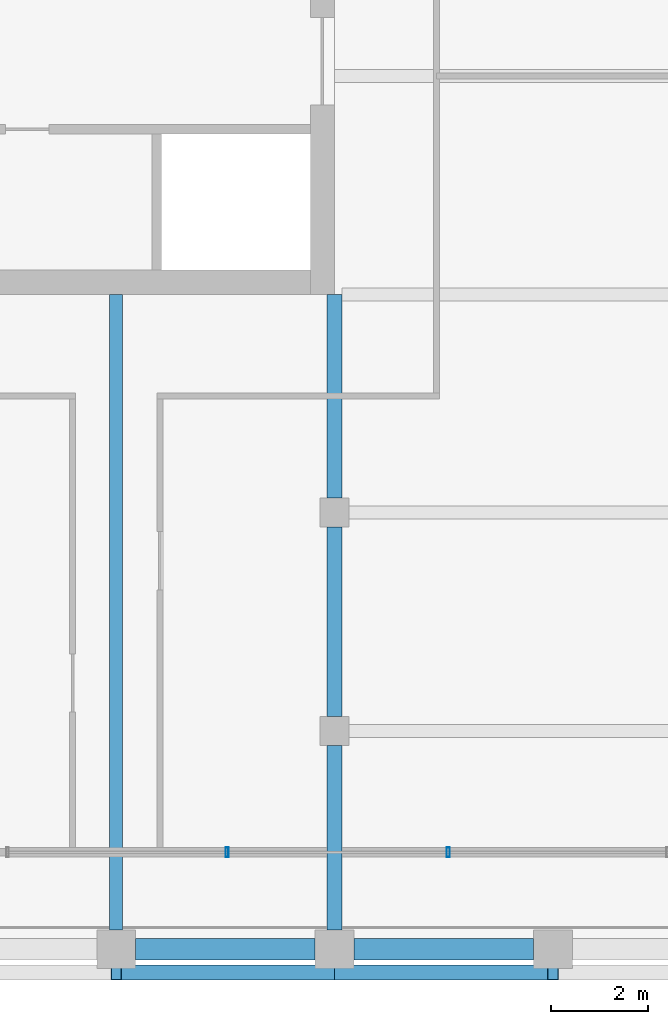
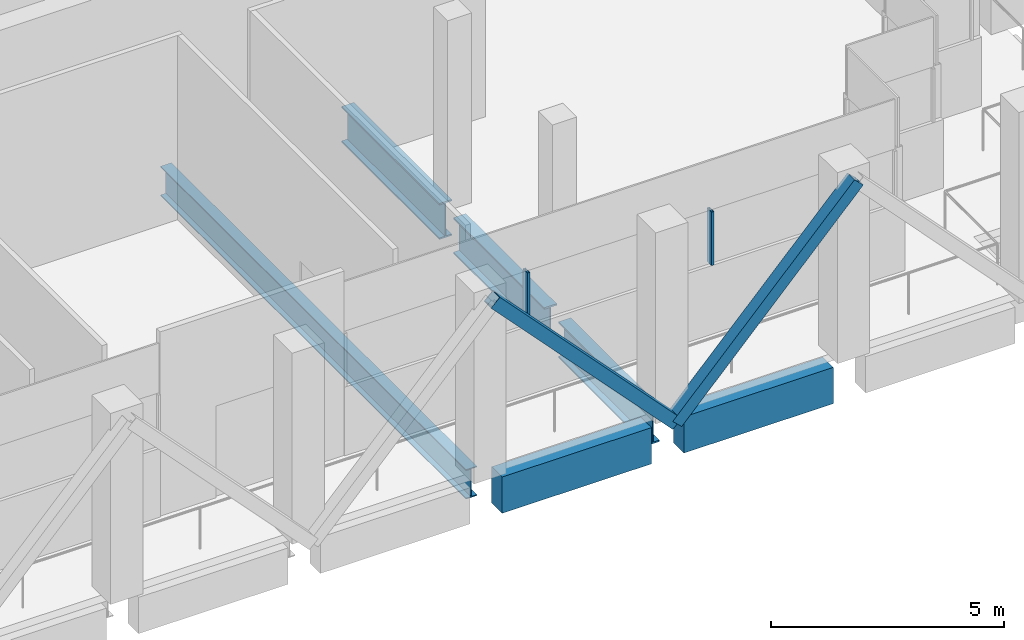
# One storey, part 7 of 21: 6 beams, 4 members, 1 element without a shape of its own.
"""IFC4 building model written with IfcOpenShell, lengths in metres."""

from ifc_helpers import new_model, si_unit, direction, frame, origin, origin_2d, place, context, subcontext, project, spatial, rectangle, hollow_rectangle, i_section, extrude, material, material_profile, profile_set, type_object, element, aggregate, save


model = new_model("IFC4")

# Units and contexts
model_context = context("Model", 3, precision=1e-05, world=origin(), true_north=direction((0.0, 1.0)))
body_context = subcontext(model_context, "Body", "Model", "MODEL_VIEW")
ifc_project = project(units=[si_unit("LENGTHUNIT", "METRE"), si_unit("AREAUNIT", "SQUARE_METRE"), si_unit("VOLUMEUNIT", "CUBIC_METRE"), si_unit("PLANEANGLEUNIT", "RADIAN"), si_unit("MASSUNIT", "GRAM", prefix="KILO")], contexts=[model_context])

# Site, building, storey
site_placement = place(None, origin())
site = spatial("IfcSite", under=ifc_project, at=site_placement, CompositionType="ELEMENT")
building_placement = place(site_placement, origin())
building = spatial("IfcBuilding", under=site, at=building_placement, Name="Altepetl Exchange Towers", CompositionType="ELEMENT")
storey_placement = place(building_placement, frame((0.0, 0.0, 246.0)))
storey = spatial("IfcBuildingStorey", under=building, at=storey_placement, Name="L63 Refuge", CompositionType="ELEMENT", Elevation=246.0)

# Members
ifc_material_1 = material(Name="Steel S355", Category="steel")
ifc_material_profile_1 = material_profile(ifc_material_1, hollow_rectangle(XDim=0.304931640625, YDim=0.304931640625, WallThickness=0.01171875, at=origin_2d()), Name="HSS305X305X12.7")
ifc_profile_set_1 = profile_set([ifc_material_profile_1], Name="Steel S355")
member_type_1 = type_object("IfcMemberType", Name="Belt diagonal HSS305X305X12.7", PredefinedType="BRACE", material=ifc_profile_set_1)
for number, where, z_axis, x_axis, name in (
    (1, (54.0, 26.52001953125, 4.75), (0.687744647911, 0.0, -0.725952683906), (0.0, 1.0, 0.0), "brc:A:L63:005"),
    (2, (58.5, 26.52001953125, 0.0), (0.687744647911, 0.0, 0.725952683906), (0.0, 1.0, 0.0), "brc:A:L63:006"),
):
    element("IfcMember", number, at=place(storey_placement, frame(where, z_axis=z_axis, x_axis=x_axis)), inside=storey, type_object=member_type_1, Name=name, PredefinedType="BRACE", context=body_context, shape_type="SweptSolid", body=[
        extrude(hollow_rectangle(XDim=0.304931640625, YDim=0.304931640625, WallThickness=0.01171875, at=origin_2d()), origin(), (0.0, 0.0, 1.0), 6.543212890625),
    ])

# Beams
ifc_material_profile_2 = material_profile(ifc_material_1, i_section(OverallWidth=0.26806640625, OverallDepth=0.77392578125, WebThickness=0.015380859375, FlangeThickness=0.025390625, at=origin_2d()), Name="W30X132")
ifc_profile_set_2 = profile_set([ifc_material_profile_2], Name="Steel S355")
beam_type_1 = type_object("IfcBeamType", Name="Floor beam W30X132", PredefinedType="BEAM", material=ifc_profile_set_2)
beam_1_placement = place(storey_placement, frame((54.0, 27.39990234375, -0.5869140625), z_axis=(0.0, 1.0, 0.0), x_axis=(-1.0, 0.0, 0.0)))
element("IfcBeam", 3, at=beam_1_placement, inside=storey, type_object=beam_type_1, Name="bm:A:L63:017", PredefinedType="BEAM", context=body_context, shape_type="SweptSolid", body=[
    extrude(i_section(OverallWidth=0.26806640625, OverallDepth=0.77392578125, WebThickness=0.015380859375, FlangeThickness=0.025390625, at=origin_2d()), origin(), (0.0, 0.0, 1.0), 13.10009765625),
])
ifc_material_profile_3 = material_profile(ifc_material_1, i_section(OverallWidth=0.30810546875, OverallDepth=0.943115234375, WebThickness=0.022216796875, FlangeThickness=0.039794921875, at=origin_2d()), Name="W36X232")
ifc_profile_set_3 = profile_set([ifc_material_profile_3], Name="Steel S355")
beam_type_2 = type_object("IfcBeamType", Name="Girder W36X232", PredefinedType="BEAM", material=ifc_profile_set_3)
beam_2_placement = place(storey_placement, frame((58.5, 40.5, -0.67138671875), z_axis=(0.0, -1.0, 0.0), x_axis=(1.0, 0.0, 0.0)))
element("IfcBeam", 4, at=beam_2_placement, inside=storey, type_object=beam_type_2, Name="gd:A:L63:003", PredefinedType="BEAM", context=body_context, shape_type="SweptSolid", body=[
    extrude(i_section(OverallWidth=0.30810546875, OverallDepth=0.943115234375, WebThickness=0.022216796875, FlangeThickness=0.039794921875, at=origin_2d()), origin(), (0.0, 0.0, 1.0), 4.199951171875),
])
beam_3_placement = place(storey_placement, frame((58.5, 35.699951171875, -0.67138671875), z_axis=(0.0, -1.0, 0.0), x_axis=(1.0, 0.0, 0.0)))
element("IfcBeam", 5, at=beam_3_placement, inside=storey, type_object=beam_type_2, Name="gd:A:L63:004", PredefinedType="BEAM", context=body_context, shape_type="SweptSolid", body=[
    extrude(i_section(OverallWidth=0.30810546875, OverallDepth=0.943115234375, WebThickness=0.022216796875, FlangeThickness=0.039794921875, at=origin_2d()), origin(), (0.0, 0.0, 1.0), 3.89990234375),
])
beam_4_placement = place(storey_placement, frame((58.5, 31.199951171875, -0.67138671875), z_axis=(0.0, -1.0, 0.0), x_axis=(1.0, 0.0, 0.0)))
element("IfcBeam", 6, at=beam_4_placement, inside=storey, type_object=beam_type_2, Name="gd:A:L63:005", PredefinedType="BEAM", context=body_context, shape_type="SweptSolid", body=[
    extrude(i_section(OverallWidth=0.30810546875, OverallDepth=0.943115234375, WebThickness=0.022216796875, FlangeThickness=0.039794921875, at=origin_2d()), origin(), (0.0, 0.0, 1.0), 3.800048828125),
])

# Curtain wall, members
ifc_material_2 = material(Name="Aluminium 6063-T6 glazing", Category="aluminium")
curtain_wall_type = type_object("IfcCurtainWallType", Name="Refuge slit glazing system", PredefinedType="NOTDEFINED", material=ifc_material_2)
curtain_wall_placement = place(storey_placement, origin())
curtain_wall = element("IfcCurtainWall", 7, at=curtain_wall_placement, inside=storey, type_object=curtain_wall_type, Name="CW3 run", PredefinedType="NOTDEFINED")
ifc_material_3 = material(Name="Aluminium 6063-T6", Category="aluminium")
ifc_material_profile_4 = material_profile(ifc_material_3, hollow_rectangle(XDim=0.06005859375, YDim=0.199951171875, WallThickness=0.0029296875, at=origin_2d()), Name="Mullion 60x200 aluminium")
ifc_profile_set_4 = profile_set([ifc_material_profile_4], Name="Aluminium 6063-T6")
member_type_2 = type_object("IfcMemberType", Name="Mullion 60x200 aluminium", PredefinedType="MULLION", material=ifc_profile_set_4)
member_1_placement = place(storey_placement, frame((56.28564453125, 29.0, 1.800048828125)))
member_1 = element("IfcMember", 8, at=member_1_placement, type_object=member_type_2, Name="MU2 mullion", PredefinedType="MULLION", context=body_context, shape_type="SweptSolid", body=[
    extrude(hollow_rectangle(XDim=0.06005859375, YDim=0.199951171875, WallThickness=0.0029296875, at=origin_2d()), origin(), (0.0, 0.0, 1.0), 1.39990234375),
])
member_2_placement = place(storey_placement, frame((60.8427734375, 29.0, 1.800048828125)))
member_2 = element("IfcMember", 9, at=member_2_placement, type_object=member_type_2, Name="MU2 mullion", PredefinedType="MULLION", context=body_context, shape_type="SweptSolid", body=[
    extrude(hollow_rectangle(XDim=0.06005859375, YDim=0.199951171875, WallThickness=0.0029296875, at=origin_2d()), origin(), (0.0, 0.0, 1.0), 1.39990234375),
])
aggregate(curtain_wall, [member_1, member_2])

# Beams
ifc_material_4 = material(Name="Concrete C50/60 precast with cantera amarilla facing", Category="concrete")
ifc_material_profile_5 = material_profile(ifc_material_4, rectangle(XDim=0.449951171875, YDim=0.949951171875, at=origin_2d()), Name="450 x 950")
ifc_profile_set_5 = profile_set([ifc_material_profile_5], Name="Concrete C50/60 precast with cantera amarilla facing")
beam_type_3 = type_object("IfcBeamType", Name="Spandrel beam 450x950 cantera amarilla", PredefinedType="SPANDREL", material=ifc_profile_set_5)
beam_5_placement = place(storey_placement, frame((58.89990234375, 27.0, -0.675048828125), z_axis=(1.0, 0.0, 0.0), x_axis=(0.0, 1.0, 0.0)))
element("IfcBeam", 10, at=beam_5_placement, inside=storey, type_object=beam_type_3, Name="sp:A:L63:006", PredefinedType="SPANDREL", context=body_context, shape_type="SweptSolid", body=[
    extrude(rectangle(XDim=0.449951171875, YDim=0.949951171875, at=origin_2d()), origin(), (0.0, 0.0, 1.0), 3.7001953125),
])
ifc_material_5 = material(Name="Concrete C50/60 precast with cantera blanca facing", Category="concrete")
ifc_material_profile_6 = material_profile(ifc_material_5, rectangle(XDim=0.449951171875, YDim=0.949951171875, at=origin_2d()), Name="450 x 950")
ifc_profile_set_6 = profile_set([ifc_material_profile_6], Name="Concrete C50/60 precast with cantera blanca facing")
beam_type_4 = type_object("IfcBeamType", Name="Spandrel beam 450x950 cantera blanca", PredefinedType="SPANDREL", material=ifc_profile_set_6)
beam_6_placement = place(storey_placement, frame((54.39990234375, 27.0, -0.675048828125), z_axis=(1.0, 0.0, 0.0), x_axis=(0.0, 1.0, 0.0)))
element("IfcBeam", 11, at=beam_6_placement, inside=storey, type_object=beam_type_4, Name="sp:A:L63:005", PredefinedType="SPANDREL", context=body_context, shape_type="SweptSolid", body=[
    extrude(rectangle(XDim=0.449951171875, YDim=0.949951171875, at=origin_2d()), origin(), (0.0, 0.0, 1.0), 3.7001953125),
])

save(model, "model.ifc")
